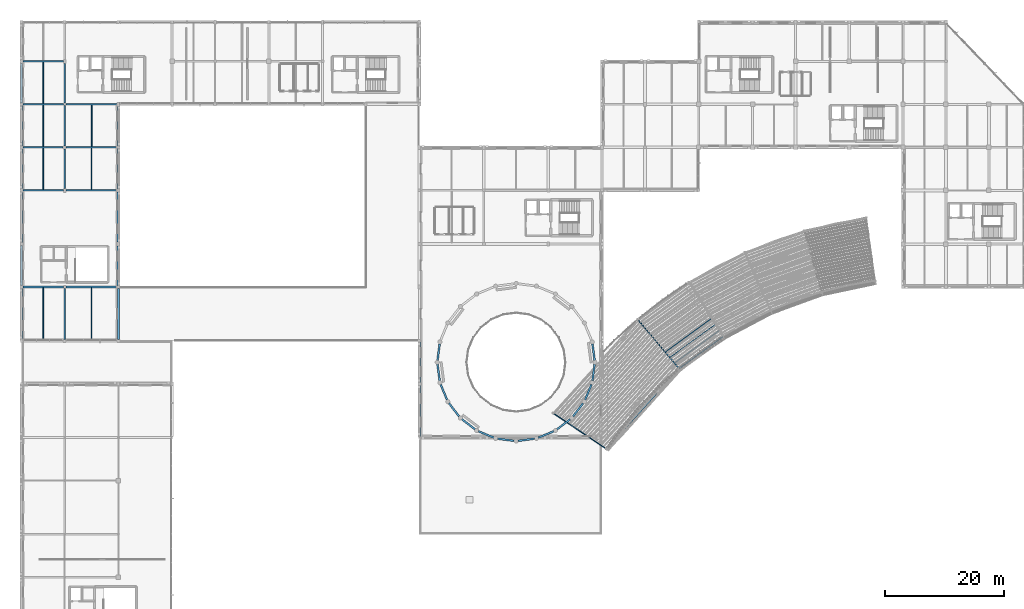
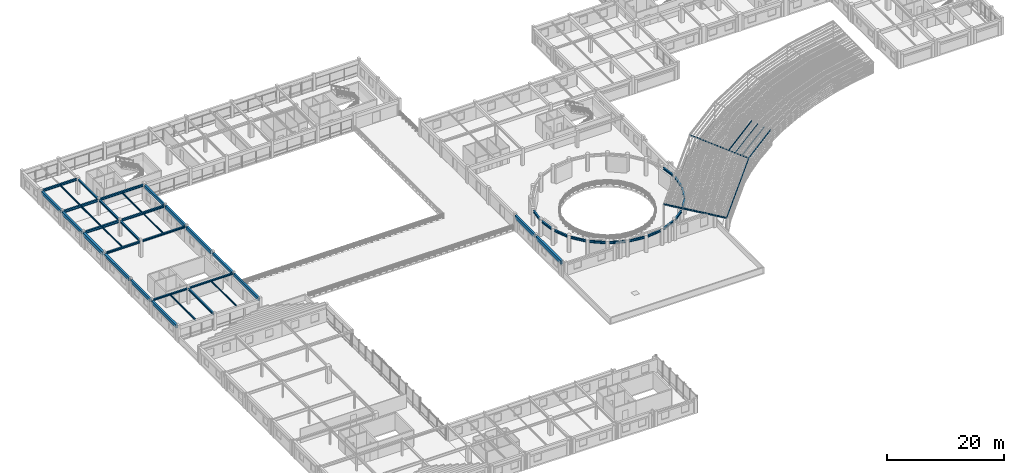
# One storey, part 22 of 74: 47 beams, 7 members.
"""IFC4 building model written with IfcOpenShell, lengths in metres."""

from ifc_helpers import new_model, si_unit, direction, frame, origin, origin_2d, place, context, subcontext, project, spatial, rectangle, i_section, extrude, material, material_profile, profile_set, type_object, element, save


model = new_model("IFC4")

# Units and contexts
model_context = context("Model", 3, precision=1e-05, world=origin(), true_north=direction((0.0, 1.0)))
body_context = subcontext(model_context, "Body", "Model", "MODEL_VIEW")
ifc_project = project(units=[si_unit("LENGTHUNIT", "METRE"), si_unit("AREAUNIT", "SQUARE_METRE"), si_unit("VOLUMEUNIT", "CUBIC_METRE"), si_unit("PLANEANGLEUNIT", "RADIAN"), si_unit("MASSUNIT", "GRAM", prefix="KILO")], contexts=[model_context])

# Site, building, storey
site_placement = place(None, origin())
site = spatial("IfcSite", under=ifc_project, at=site_placement, CompositionType="ELEMENT")
building_placement = place(site_placement, origin())
building = spatial("IfcBuilding", under=site, at=building_placement, Name="Clarverna Civic Hall", CompositionType="ELEMENT")
storey_placement = place(building_placement, frame((0.0, 0.0, 13.199951171875)))
storey = spatial("IfcBuildingStorey", under=building, at=storey_placement, Name="L03", CompositionType="ELEMENT", Elevation=13.199951171875)

# Beams
ifc_material_1 = material(Name="Concrete C35/45", Category="concrete")
ifc_material_profile_1 = material_profile(ifc_material_1, rectangle(XDim=0.419921875, YDim=0.719970703125, at=origin_2d()), Name="RC 420x720")
ifc_profile_set_1 = profile_set([ifc_material_profile_1], Name="Concrete C35/45")
beam_type_1 = type_object("IfcBeamType", Name="B-SP1", PredefinedType="SPANDREL", material=ifc_profile_set_1)
beam_1_placement = place(storey_placement, frame((0.0, 88.125, 2.93994140625), z_axis=(0.0, 1.0, 0.0), x_axis=(-1.0, 0.0, 0.0)))
element("IfcBeam", 1, at=beam_1_placement, inside=storey, type_object=beam_type_1, Name="B-SP1-120", PredefinedType="SPANDREL", context=body_context, shape_type="SweptSolid", body=[
    extrude(rectangle(XDim=0.419921875, YDim=0.719970703125, at=origin_2d()), origin(), (0.0, 0.0, 1.0), 6.625),
])
beam_2_placement = place(storey_placement, frame((16.199951171875, 79.125, 2.93994140625), z_axis=(0.0, 1.0, 0.0), x_axis=(-1.0, 0.0, 0.0)))
element("IfcBeam", 2, at=beam_2_placement, inside=storey, type_object=beam_type_1, Name="B-SP1-121", PredefinedType="SPANDREL", context=body_context, shape_type="SweptSolid", body=[
    extrude(rectangle(XDim=0.419921875, YDim=0.719970703125, at=origin_2d()), origin(), (0.0, 0.0, 1.0), 8.425048828125),
])
beam_3_placement = place(storey_placement, frame((66.60009765625, 46.530029296875, 2.93994140625), z_axis=(0.0, 1.0, 0.0), x_axis=(-1.0, 0.0, 0.0)))
element("IfcBeam", 3, at=beam_3_placement, inside=storey, type_object=beam_type_1, Name="B-SP1-122", PredefinedType="SPANDREL", context=body_context, shape_type="SweptSolid", body=[
    extrude(rectangle(XDim=0.419921875, YDim=0.719970703125, at=origin_2d()), origin(), (0.0, 0.0, 1.0), 8.619873046875),
])
ifc_material_profile_2 = material_profile(ifc_material_1, rectangle(XDim=0.3798828125, YDim=0.679931640625, at=origin_2d()), Name="RC 380x680")
ifc_profile_set_2 = profile_set([ifc_material_profile_2], Name="Concrete C35/45")
beam_type_2 = type_object("IfcBeamType", Name="B-SP2", PredefinedType="SPANDREL", material=ifc_profile_set_2)
beam_4_placement = place(storey_placement, frame((0.0, 62.925048828125, 2.9599609375), z_axis=(0.0, 1.0, 0.0), x_axis=(-1.0, 0.0, 0.0)))
element("IfcBeam", 4, at=beam_4_placement, inside=storey, type_object=beam_type_2, Name="B-SP2-124", PredefinedType="SPANDREL", context=body_context, shape_type="SweptSolid", body=[
    extrude(rectangle(XDim=0.3798828125, YDim=0.679931640625, at=origin_2d()), origin(), (0.0, 0.0, 1.0), 8.425048828125),
])
beam_5_placement = place(storey_placement, frame((0.0, 95.25, 2.9599609375), z_axis=(0.0, 1.0, 0.0), x_axis=(-1.0, 0.0, 0.0)))
element("IfcBeam", 5, at=beam_5_placement, inside=storey, type_object=beam_type_2, Name="B-SP2-125", PredefinedType="SPANDREL", context=body_context, shape_type="SweptSolid", body=[
    extrude(rectangle(XDim=0.3798828125, YDim=0.679931640625, at=origin_2d()), origin(), (0.0, 0.0, 1.0), 6.72509765625),
])
beam_6_placement = place(storey_placement, frame((16.199951171875, 88.050048828125, 2.9599609375), z_axis=(0.0, 1.0, 0.0), x_axis=(-1.0, 0.0, 0.0)))
element("IfcBeam", 6, at=beam_6_placement, inside=storey, type_object=beam_type_2, Name="B-SP2-126", PredefinedType="SPANDREL", context=body_context, shape_type="SweptSolid", body=[
    extrude(rectangle(XDim=0.3798828125, YDim=0.679931640625, at=origin_2d()), origin(), (0.0, 0.0, 1.0), 6.724853515625),
])
beam_7_placement = place(storey_placement, frame((66.60009765625, 55.64990234375, 2.9599609375), z_axis=(0.0, 1.0, 0.0), x_axis=(-1.0, 0.0, 0.0)))
element("IfcBeam", 7, at=beam_7_placement, inside=storey, type_object=beam_type_2, Name="B-SP2-128", PredefinedType="SPANDREL", context=body_context, shape_type="SweptSolid", body=[
    extrude(rectangle(XDim=0.3798828125, YDim=0.679931640625, at=origin_2d()), origin(), (0.0, 0.0, 1.0), 6.72509765625),
])
ifc_material_profile_3 = material_profile(ifc_material_1, rectangle(XDim=0.360107421875, YDim=0.6201171875, at=origin_2d()), Name="RC 360x620")
ifc_profile_set_3 = profile_set([ifc_material_profile_3], Name="Concrete C35/45")
beam_type_3 = type_object("IfcBeamType", Name="B-SP3", PredefinedType="SPANDREL", material=ifc_profile_set_3)
beam_8_placement = place(storey_placement, frame((0.0, 71.85009765625, 2.989990234375), z_axis=(0.0, 1.0, 0.0), x_axis=(-1.0, 0.0, 0.0)))
element("IfcBeam", 8, at=beam_8_placement, inside=storey, type_object=beam_type_3, Name="B-SP3-121", PredefinedType="SPANDREL", context=body_context, shape_type="SweptSolid", body=[
    extrude(rectangle(XDim=0.360107421875, YDim=0.6201171875, at=origin_2d()), origin(), (0.0, 0.0, 1.0), 6.724853515625),
])
beam_9_placement = place(storey_placement, frame((0.0, 102.425048828125, 2.989990234375), z_axis=(0.0, 1.0, 0.0), x_axis=(-1.0, 0.0, 0.0)))
element("IfcBeam", 9, at=beam_9_placement, inside=storey, type_object=beam_type_3, Name="B-SP3-122", PredefinedType="SPANDREL", context=body_context, shape_type="SweptSolid", body=[
    extrude(rectangle(XDim=0.360107421875, YDim=0.6201171875, at=origin_2d()), origin(), (0.0, 0.0, 1.0), 6.64990234375),
])
beam_10_placement = place(storey_placement, frame((16.199951171875, 62.85009765625, 2.989990234375), z_axis=(0.0, 1.0, 0.0), x_axis=(-1.0, 0.0, 0.0)))
element("IfcBeam", 10, at=beam_10_placement, inside=storey, type_object=beam_type_3, Name="B-SP3-123", PredefinedType="SPANDREL", context=body_context, shape_type="SweptSolid", body=[
    extrude(rectangle(XDim=0.360107421875, YDim=0.6201171875, at=origin_2d()), origin(), (0.0, 0.0, 1.0), 8.52490234375),
])
beam_11_placement = place(storey_placement, frame((16.199951171875, 95.22509765625, 2.989990234375), z_axis=(0.0, 1.0, 0.0), x_axis=(-1.0, 0.0, 0.0)))
element("IfcBeam", 11, at=beam_11_placement, inside=storey, type_object=beam_type_3, Name="B-SP3-124", PredefinedType="SPANDREL", context=body_context, shape_type="SweptSolid", body=[
    extrude(rectangle(XDim=0.360107421875, YDim=0.6201171875, at=origin_2d()), origin(), (0.0, 0.0, 1.0), 6.64990234375),
])
ifc_material_profile_4 = material_profile(ifc_material_1, rectangle(XDim=0.39990234375, YDim=0.56005859375, at=origin_2d()), Name="RC 400x560")
ifc_profile_set_4 = profile_set([ifc_material_profile_4], Name="Concrete C35/45")
beam_type_4 = type_object("IfcBeamType", Name="B-SP4", PredefinedType="SPANDREL", material=ifc_profile_set_4)
beam_12_placement = place(storey_placement, frame((0.0, 79.02490234375, 3.02001953125), z_axis=(0.0, 1.0, 0.0), x_axis=(-1.0, 0.0, 0.0)))
element("IfcBeam", 12, at=beam_12_placement, inside=storey, type_object=beam_type_4, Name="B-SP4-121", PredefinedType="SPANDREL", context=body_context, shape_type="SweptSolid", body=[
    extrude(rectangle(XDim=0.39990234375, YDim=0.56005859375, at=origin_2d()), origin(), (0.0, 0.0, 1.0), 8.4501953125),
])
beam_13_placement = place(storey_placement, frame((16.199951171875, 71.824951171875, 3.02001953125), z_axis=(0.0, 1.0, 0.0), x_axis=(-1.0, 0.0, 0.0)))
element("IfcBeam", 13, at=beam_13_placement, inside=storey, type_object=beam_type_4, Name="B-SP4-123", PredefinedType="SPANDREL", context=body_context, shape_type="SweptSolid", body=[
    extrude(rectangle(XDim=0.39990234375, YDim=0.56005859375, at=origin_2d()), origin(), (0.0, 0.0, 1.0), 6.650146484375),
])
ifc_material_2 = material(Name="Steel S355", Category="steel")
ifc_material_profile_5 = material_profile(ifc_material_2, i_section(OverallWidth=0.300048828125, OverallDepth=0.2900390625, WebThickness=0.008544921875, FlangeThickness=0.013916015625, FilletRadius=0.027099609375, at=origin_2d()), Name="HEA 300")
ifc_profile_set_5 = profile_set([ifc_material_profile_5], Name="Steel S355")
beam_type_5 = type_object("IfcBeamType", Name="B-ST10", PredefinedType="BEAM", material=ifc_profile_set_5)
beam_14_placement = place(storey_placement, frame((7.425048828125, 71.60009765625, 3.155029296875), z_axis=(1.0, 0.0, 0.0), x_axis=(0.0, 1.0, 0.0)))
element("IfcBeam", 14, at=beam_14_placement, inside=storey, type_object=beam_type_5, Name="B-ST10-012", PredefinedType="BEAM", context=body_context, shape_type="SweptSolid", body=[
    extrude(i_section(OverallWidth=0.300048828125, OverallDepth=0.2900390625, WebThickness=0.008544921875, FlangeThickness=0.013916015625, FilletRadius=0.027099609375, at=origin_2d()), origin(), (0.0, 0.0, 1.0), 8.550048828125),
])
ifc_material_profile_6 = material_profile(ifc_material_2, i_section(OverallWidth=0.300048828125, OverallDepth=0.5, WebThickness=0.014404296875, FlangeThickness=0.028076171875, FilletRadius=0.027099609375, at=origin_2d()), Name="HEB 500")
ifc_profile_set_6 = profile_set([ifc_material_profile_6], Name="Steel S355")
beam_type_6 = type_object("IfcBeamType", Name="B-ST2", PredefinedType="BEAM", material=ifc_profile_set_6)
beam_15_placement = place(storey_placement, frame((0.25, 95.0, 3.050048828125), z_axis=(1.0, 0.0, 0.0), x_axis=(0.0, 1.0, 0.0)))
element("IfcBeam", 15, at=beam_15_placement, inside=storey, type_object=beam_type_6, Name="B-ST2-012", PredefinedType="BEAM", context=body_context, shape_type="SweptSolid", body=[
    extrude(i_section(OverallWidth=0.300048828125, OverallDepth=0.5, WebThickness=0.014404296875, FlangeThickness=0.028076171875, FilletRadius=0.027099609375, at=origin_2d()), origin(), (0.0, 0.0, 1.0), 6.699951171875),
])
beam_16_placement = place(storey_placement, frame((0.22509765625, 102.199951171875, 3.050048828125), z_axis=(1.0, 0.0, 0.0), x_axis=(0.0, 1.0, 0.0)))
element("IfcBeam", 16, at=beam_16_placement, inside=storey, type_object=beam_type_6, Name="B-ST2-013", PredefinedType="BEAM", context=body_context, shape_type="SweptSolid", body=[
    extrude(i_section(OverallWidth=0.300048828125, OverallDepth=0.5, WebThickness=0.014404296875, FlangeThickness=0.028076171875, FilletRadius=0.027099609375, at=origin_2d()), origin(), (0.0, 0.0, 1.0), 6.75),
])
ifc_material_profile_7 = material_profile(ifc_material_2, i_section(OverallWidth=0.300048828125, OverallDepth=0.449951171875, WebThickness=0.013916015625, FlangeThickness=0.02587890625, FilletRadius=0.027099609375, at=origin_2d()), Name="HEB 450")
ifc_profile_set_7 = profile_set([ifc_material_profile_7], Name="Steel S355")
beam_type_7 = type_object("IfcBeamType", Name="B-ST3", PredefinedType="BEAM", material=ifc_profile_set_7)
beam_17_placement = place(storey_placement, frame((7.449951171875, 95.0, 3.074951171875), z_axis=(1.0, 0.0, 0.0), x_axis=(0.0, 1.0, 0.0)))
element("IfcBeam", 17, at=beam_17_placement, inside=storey, type_object=beam_type_7, Name="B-ST3-012", PredefinedType="BEAM", context=body_context, shape_type="SweptSolid", body=[
    extrude(i_section(OverallWidth=0.300048828125, OverallDepth=0.449951171875, WebThickness=0.013916015625, FlangeThickness=0.02587890625, FilletRadius=0.027099609375, at=origin_2d()), origin(), (0.0, 0.0, 1.0), 8.525146484375),
])
beam_18_placement = place(storey_placement, frame((7.425048828125, 102.199951171875, 3.074951171875), z_axis=(1.0, 0.0, 0.0), x_axis=(0.0, 1.0, 0.0)))
element("IfcBeam", 18, at=beam_18_placement, inside=storey, type_object=beam_type_7, Name="B-ST3-013", PredefinedType="BEAM", context=body_context, shape_type="SweptSolid", body=[
    extrude(i_section(OverallWidth=0.300048828125, OverallDepth=0.449951171875, WebThickness=0.013916015625, FlangeThickness=0.02587890625, FilletRadius=0.027099609375, at=origin_2d()), origin(), (0.0, 0.0, 1.0), 8.550048828125),
])
beam_19_placement = place(storey_placement, frame((0.22509765625, 109.39990234375, 3.074951171875), z_axis=(1.0, 0.0, 0.0), x_axis=(0.0, 1.0, 0.0)))
element("IfcBeam", 19, at=beam_19_placement, inside=storey, type_object=beam_type_7, Name="B-ST3-014", PredefinedType="BEAM", context=body_context, shape_type="SweptSolid", body=[
    extrude(i_section(OverallWidth=0.300048828125, OverallDepth=0.449951171875, WebThickness=0.013916015625, FlangeThickness=0.02587890625, FilletRadius=0.027099609375, at=origin_2d()), origin(), (0.0, 0.0, 1.0), 6.75),
])
ifc_material_profile_8 = material_profile(ifc_material_2, i_section(OverallWidth=0.300048828125, OverallDepth=0.39990234375, WebThickness=0.013427734375, FlangeThickness=0.02392578125, FilletRadius=0.027099609375, at=origin_2d()), Name="HEB 400")
ifc_profile_set_8 = profile_set([ifc_material_profile_8], Name="Steel S355")
beam_type_8 = type_object("IfcBeamType", Name="B-ST4", PredefinedType="BEAM", material=ifc_profile_set_8)
beam_20_placement = place(storey_placement, frame((7.199951171875, 62.85009765625, 3.10009765625), z_axis=(0.0, 1.0, 0.0), x_axis=(-1.0, 0.0, 0.0)))
element("IfcBeam", 20, at=beam_20_placement, inside=storey, type_object=beam_type_8, Name="B-ST4-012", PredefinedType="BEAM", context=body_context, shape_type="SweptSolid", body=[
    extrude(i_section(OverallWidth=0.300048828125, OverallDepth=0.39990234375, WebThickness=0.013427734375, FlangeThickness=0.02392578125, FilletRadius=0.027099609375, at=origin_2d()), origin(), (0.0, 0.0, 1.0), 8.52490234375),
])
ifc_material_profile_9 = material_profile(ifc_material_2, i_section(OverallWidth=0.300048828125, OverallDepth=0.43994140625, WebThickness=0.011474609375, FlangeThickness=0.02099609375, FilletRadius=0.027099609375, at=origin_2d()), Name="HEA 450")
ifc_profile_set_9 = profile_set([ifc_material_profile_9], Name="Steel S355")
beam_type_9 = type_object("IfcBeamType", Name="B-ST5", PredefinedType="BEAM", material=ifc_profile_set_9)
beam_21_placement = place(storey_placement, frame((7.199951171875, 88.125, 3.080078125), z_axis=(0.0, 1.0, 0.0), x_axis=(-1.0, 0.0, 0.0)))
element("IfcBeam", 21, at=beam_21_placement, inside=storey, type_object=beam_type_9, Name="B-ST5-110", PredefinedType="BEAM", context=body_context, shape_type="SweptSolid", body=[
    extrude(i_section(OverallWidth=0.300048828125, OverallDepth=0.43994140625, WebThickness=0.011474609375, FlangeThickness=0.02099609375, FilletRadius=0.027099609375, at=origin_2d()), origin(), (0.0, 0.0, 1.0), 6.625),
])
for number, where, z_axis, x_axis, name in (
    (22, (95.956298828125, 59.33203125, 3.080078125), (-0.130515938743, 0.991446211216, 0.0), (-0.991446211216, -0.130515938743, 0.0), "B-ST5-113"),
    (23, (70.006103515625, 62.084228515625, 3.080078125), (-0.130515938743, -0.991446211216, 0.0), (0.991446211216, -0.130515938743, 0.0), "B-ST5-124"),
    (24, (69.643798828125, 58.66796875, 3.080078125), (0.130515938743, -0.991446211216, 0.0), (0.991446211216, 0.130515938743, 0.0), "B-ST5-125"),
    (25, (70.177978515625, 55.274169921875, 3.080078125), (0.382659900485, -0.923889279384, 0.0), (0.923889279384, 0.382659900485, 0.0), "B-ST5-126"),
    (26, (71.572509765625, 52.13427734375, 3.080078125), (0.608702928733, -0.793398225705, 0.0), (0.793398225705, 0.608702928733, 0.0), "B-ST5-127"),
    (27, (73.73193359375, 49.46240234375, 3.080078125), (0.793323156255, -0.608800763592, 0.0), (0.608800763592, 0.793323156255, 0.0), "B-ST5-128"),
    (28, (76.509521484375, 47.440185546875, 3.080078125), (0.923889279384, -0.382659900485, 0.0), (0.382659900485, 0.923889279384, 0.0), "B-ST5-129"),
    (29, (79.7158203125, 46.2060546875, 3.080078125), (0.991446211216, -0.130515938743, 0.0), (0.130515938743, 0.991446211216, 0.0), "B-ST5-130"),
    (30, (83.132080078125, 45.84375, 3.080078125), (0.991446211216, 0.130515938743, 0.0), (-0.130515938743, 0.991446211216, 0.0), "B-ST5-131"),
    (31, (86.52587890625, 46.3779296875, 3.080078125), (0.923889279384, 0.382659900485, 0.0), (-0.382659900485, 0.923889279384, 0.0), "B-ST5-132"),
    (32, (89.665771484375, 47.7724609375, 3.080078125), (0.793323156255, 0.608800763592, 0.0), (-0.608800763592, 0.793323156255, 0.0), "B-ST5-133"),
):
    element("IfcBeam", number, at=place(storey_placement, frame(where, z_axis=z_axis, x_axis=x_axis)), inside=storey, type_object=beam_type_9, Name=name, PredefinedType="BEAM", context=body_context, shape_type="SweptSolid", body=[
        extrude(i_section(OverallWidth=0.300048828125, OverallDepth=0.43994140625, WebThickness=0.011474609375, FlangeThickness=0.02099609375, FilletRadius=0.027099609375, at=origin_2d()), origin(), (0.0, 0.0, 1.0), 2.77587890625),
    ])
for number, where, z_axis, x_axis, name in (
    (33, (92.337646484375, 49.931884765625, 3.080078125), (0.608758287208, 0.79335575107, 0.0), (-0.79335575107, 0.608758287208, 0.0), "B-ST5-134"),
    (34, (94.359619140625, 52.70947265625, 3.080078125), (0.382734966231, 0.923858184801, 0.0), (-0.923858184801, 0.382734966231, 0.0), "B-ST5-135"),
):
    element("IfcBeam", number, at=place(storey_placement, frame(where, z_axis=z_axis, x_axis=x_axis)), inside=storey, type_object=beam_type_9, Name=name, PredefinedType="BEAM", context=body_context, shape_type="SweptSolid", body=[
        extrude(i_section(OverallWidth=0.300048828125, OverallDepth=0.43994140625, WebThickness=0.011474609375, FlangeThickness=0.02099609375, FilletRadius=0.027099609375, at=origin_2d()), origin(), (0.0, 0.0, 1.0), 2.776123046875),
    ])
beam_22_placement = place(storey_placement, frame((95.593994140625, 55.915771484375, 3.080078125), z_axis=(0.130515938743, 0.991446211216, 0.0), x_axis=(-0.991446211216, 0.130515938743, 0.0)))
element("IfcBeam", 35, at=beam_22_placement, inside=storey, type_object=beam_type_9, Name="B-ST5-136", PredefinedType="BEAM", context=body_context, shape_type="SweptSolid", body=[
    extrude(i_section(OverallWidth=0.300048828125, OverallDepth=0.43994140625, WebThickness=0.011474609375, FlangeThickness=0.02099609375, FilletRadius=0.027099609375, at=origin_2d()), origin(), (0.0, 0.0, 1.0), 2.77587890625),
])
ifc_material_profile_10 = material_profile(ifc_material_2, i_section(OverallWidth=0.300048828125, OverallDepth=0.389892578125, WebThickness=0.010986328125, FlangeThickness=0.01904296875, FilletRadius=0.027099609375, at=origin_2d()), Name="HEA 400")
ifc_profile_set_10 = profile_set([ifc_material_profile_10], Name="Steel S355")
beam_type_10 = type_object("IfcBeamType", Name="B-ST6", PredefinedType="BEAM", material=ifc_profile_set_10)
beam_23_placement = place(storey_placement, frame((0.22509765625, 87.800048828125, 3.10498046875), z_axis=(1.0, 0.0, 0.0), x_axis=(0.0, 1.0, 0.0)))
element("IfcBeam", 36, at=beam_23_placement, inside=storey, type_object=beam_type_10, Name="B-ST6-012", PredefinedType="BEAM", context=body_context, shape_type="SweptSolid", body=[
    extrude(i_section(OverallWidth=0.300048828125, OverallDepth=0.389892578125, WebThickness=0.010986328125, FlangeThickness=0.01904296875, FilletRadius=0.027099609375, at=origin_2d()), origin(), (0.0, 0.0, 1.0), 6.75),
])
beam_24_placement = place(storey_placement, frame((7.199951171875, 95.25, 3.10498046875), z_axis=(0.0, 1.0, 0.0), x_axis=(-1.0, 0.0, 0.0)))
element("IfcBeam", 37, at=beam_24_placement, inside=storey, type_object=beam_type_10, Name="B-ST6-014", PredefinedType="BEAM", context=body_context, shape_type="SweptSolid", body=[
    extrude(i_section(OverallWidth=0.300048828125, OverallDepth=0.389892578125, WebThickness=0.010986328125, FlangeThickness=0.01904296875, FilletRadius=0.027099609375, at=origin_2d()), origin(), (0.0, 0.0, 1.0), 6.72509765625),
])
ifc_material_profile_11 = material_profile(ifc_material_2, i_section(OverallWidth=0.300048828125, OverallDepth=0.35009765625, WebThickness=0.010009765625, FlangeThickness=0.017578125, FilletRadius=0.027099609375, at=origin_2d()), Name="HEA 360")
ifc_profile_set_11 = profile_set([ifc_material_profile_11], Name="Steel S355")
beam_type_11 = type_object("IfcBeamType", Name="B-ST7", PredefinedType="BEAM", material=ifc_profile_set_11)
beam_25_placement = place(storey_placement, frame((7.425048828125, 87.800048828125, 3.125), z_axis=(1.0, 0.0, 0.0), x_axis=(0.0, 1.0, 0.0)))
element("IfcBeam", 38, at=beam_25_placement, inside=storey, type_object=beam_type_11, Name="B-ST7-013", PredefinedType="BEAM", context=body_context, shape_type="SweptSolid", body=[
    extrude(i_section(OverallWidth=0.300048828125, OverallDepth=0.35009765625, WebThickness=0.010009765625, FlangeThickness=0.017578125, FilletRadius=0.027099609375, at=origin_2d()), origin(), (0.0, 0.0, 1.0), 8.52490234375),
])
beam_26_placement = place(storey_placement, frame((7.199951171875, 102.425048828125, 3.125), z_axis=(0.0, 1.0, 0.0), x_axis=(-1.0, 0.0, 0.0)))
element("IfcBeam", 39, at=beam_26_placement, inside=storey, type_object=beam_type_11, Name="B-ST7-014", PredefinedType="BEAM", context=body_context, shape_type="SweptSolid", body=[
    extrude(i_section(OverallWidth=0.300048828125, OverallDepth=0.35009765625, WebThickness=0.010009765625, FlangeThickness=0.017578125, FilletRadius=0.027099609375, at=origin_2d()), origin(), (0.0, 0.0, 1.0), 6.64990234375),
])
ifc_material_profile_12 = material_profile(ifc_material_2, i_section(OverallWidth=0.300048828125, OverallDepth=0.31005859375, WebThickness=0.009033203125, FlangeThickness=0.015380859375, FilletRadius=0.027099609375, at=origin_2d()), Name="HEA 320")
ifc_profile_set_12 = profile_set([ifc_material_profile_12], Name="Steel S355")
beam_type_12 = type_object("IfcBeamType", Name="B-ST9", PredefinedType="BEAM", material=ifc_profile_set_12)
beam_27_placement = place(storey_placement, frame((0.25, 71.60009765625, 3.14501953125), z_axis=(1.0, 0.0, 0.0), x_axis=(0.0, 1.0, 0.0)))
element("IfcBeam", 40, at=beam_27_placement, inside=storey, type_object=beam_type_12, Name="B-ST9-087", PredefinedType="BEAM", context=body_context, shape_type="SweptSolid", body=[
    extrude(i_section(OverallWidth=0.300048828125, OverallDepth=0.31005859375, WebThickness=0.009033203125, FlangeThickness=0.015380859375, FilletRadius=0.027099609375, at=origin_2d()), origin(), (0.0, 0.0, 1.0), 6.72509765625),
])
ifc_material_profile_13 = material_profile(ifc_material_2, i_section(OverallWidth=0.169921875, OverallDepth=0.360107421875, WebThickness=0.008056640625, FlangeThickness=0.0126953125, FilletRadius=0.01806640625, at=origin_2d()), Name="IPE 360")
ifc_profile_set_13 = profile_set([ifc_material_profile_13], Name="Steel S355")
beam_type_13 = type_object("IfcBeamType", Name="J-ST1", PredefinedType="JOIST", material=ifc_profile_set_13)
beam_28_placement = place(storey_placement, frame((3.60009765625, 95.14990234375, 3.1201171875), z_axis=(0.0, 1.0, 0.0), x_axis=(-1.0, 0.0, 0.0)))
element("IfcBeam", 41, at=beam_28_placement, inside=storey, type_object=beam_type_13, Name="J-ST1-063", PredefinedType="JOIST", context=body_context, shape_type="SweptSolid", body=[
    extrude(i_section(OverallWidth=0.169921875, OverallDepth=0.360107421875, WebThickness=0.008056640625, FlangeThickness=0.0126953125, FilletRadius=0.01806640625, at=origin_2d()), origin(), (0.0, 0.0, 1.0), 6.900146484375),
])
ifc_material_profile_14 = material_profile(ifc_material_2, i_section(OverallWidth=0.159912109375, OverallDepth=0.330078125, WebThickness=0.007568359375, FlangeThickness=0.011474609375, FilletRadius=0.01806640625, at=origin_2d()), Name="IPE 330")
ifc_profile_set_14 = profile_set([ifc_material_profile_14], Name="Steel S355")
beam_type_14 = type_object("IfcBeamType", Name="J-ST2", PredefinedType="JOIST", material=ifc_profile_set_14)
beam_29_placement = place(storey_placement, frame((3.60009765625, 62.81005859375, 3.135009765625), z_axis=(0.0, 1.0, 0.0), x_axis=(-1.0, 0.0, 0.0)))
element("IfcBeam", 42, at=beam_29_placement, inside=storey, type_object=beam_type_14, Name="J-ST2-061", PredefinedType="JOIST", context=body_context, shape_type="SweptSolid", body=[
    extrude(i_section(OverallWidth=0.159912109375, OverallDepth=0.330078125, WebThickness=0.007568359375, FlangeThickness=0.011474609375, FilletRadius=0.01806640625, at=origin_2d()), origin(), (0.0, 0.0, 1.0), 8.639892578125),
])
beam_30_placement = place(storey_placement, frame((11.699951171875, 95.14990234375, 3.135009765625), z_axis=(0.0, 1.0, 0.0), x_axis=(-1.0, 0.0, 0.0)))
element("IfcBeam", 43, at=beam_30_placement, inside=storey, type_object=beam_type_14, Name="J-ST2-064", PredefinedType="JOIST", context=body_context, shape_type="SweptSolid", body=[
    extrude(i_section(OverallWidth=0.159912109375, OverallDepth=0.330078125, WebThickness=0.007568359375, FlangeThickness=0.011474609375, FilletRadius=0.01806640625, at=origin_2d()), origin(), (0.0, 0.0, 1.0), 6.900146484375),
])
ifc_material_profile_15 = material_profile(ifc_material_2, i_section(OverallWidth=0.14990234375, OverallDepth=0.300048828125, WebThickness=0.007080078125, FlangeThickness=0.0107421875, FilletRadius=0.014892578125, at=origin_2d()), Name="IPE 300")
ifc_profile_set_15 = profile_set([ifc_material_profile_15], Name="Steel S355")
beam_type_15 = type_object("IfcBeamType", Name="J-ST3", PredefinedType="JOIST", material=ifc_profile_set_15)
beam_31_placement = place(storey_placement, frame((11.699951171875, 62.7900390625, 3.150146484375), z_axis=(0.0, 1.0, 0.0), x_axis=(-1.0, 0.0, 0.0)))
element("IfcBeam", 44, at=beam_31_placement, inside=storey, type_object=beam_type_15, Name="J-ST3-061", PredefinedType="JOIST", context=body_context, shape_type="SweptSolid", body=[
    extrude(i_section(OverallWidth=0.14990234375, OverallDepth=0.300048828125, WebThickness=0.007080078125, FlangeThickness=0.0107421875, FilletRadius=0.014892578125, at=origin_2d()), origin(), (0.0, 0.0, 1.0), 8.659912109375),
])
beam_32_placement = place(storey_placement, frame((3.60009765625, 87.949951171875, 3.150146484375), z_axis=(0.0, 1.0, 0.0), x_axis=(-1.0, 0.0, 0.0)))
element("IfcBeam", 45, at=beam_32_placement, inside=storey, type_object=beam_type_15, Name="J-ST3-062", PredefinedType="JOIST", context=body_context, shape_type="SweptSolid", body=[
    extrude(i_section(OverallWidth=0.14990234375, OverallDepth=0.300048828125, WebThickness=0.007080078125, FlangeThickness=0.0107421875, FilletRadius=0.014892578125, at=origin_2d()), origin(), (0.0, 0.0, 1.0), 6.900146484375),
])
ifc_material_profile_16 = material_profile(ifc_material_2, i_section(OverallWidth=0.135009765625, OverallDepth=0.27001953125, WebThickness=0.006591796875, FlangeThickness=0.01025390625, FilletRadius=0.014892578125, at=origin_2d()), Name="IPE 270")
ifc_profile_set_16 = profile_set([ifc_material_profile_16], Name="Steel S355")
beam_type_16 = type_object("IfcBeamType", Name="J-ST4", PredefinedType="JOIST", material=ifc_profile_set_16)
beam_33_placement = place(storey_placement, frame((11.699951171875, 87.949951171875, 3.1650390625), z_axis=(0.0, 1.0, 0.0), x_axis=(-1.0, 0.0, 0.0)))
element("IfcBeam", 46, at=beam_33_placement, inside=storey, type_object=beam_type_16, Name="J-ST4-064", PredefinedType="JOIST", context=body_context, shape_type="SweptSolid", body=[
    extrude(i_section(OverallWidth=0.135009765625, OverallDepth=0.27001953125, WebThickness=0.006591796875, FlangeThickness=0.01025390625, FilletRadius=0.014892578125, at=origin_2d()), origin(), (0.0, 0.0, 1.0), 6.900146484375),
])
beam_34_placement = place(storey_placement, frame((3.60009765625, 102.35009765625, 3.1650390625), z_axis=(0.0, 1.0, 0.0), x_axis=(-1.0, 0.0, 0.0)))
element("IfcBeam", 47, at=beam_34_placement, inside=storey, type_object=beam_type_16, Name="J-ST4-067", PredefinedType="JOIST", context=body_context, shape_type="SweptSolid", body=[
    extrude(i_section(OverallWidth=0.135009765625, OverallDepth=0.27001953125, WebThickness=0.006591796875, FlangeThickness=0.01025390625, FilletRadius=0.014892578125, at=origin_2d()), origin(), (0.0, 0.0, 1.0), 6.89990234375),
])

# Members
ifc_material_profile_17 = material_profile(ifc_material_2, i_section(OverallWidth=0.179931640625, OverallDepth=0.1708984375, WebThickness=0.006103515625, FlangeThickness=0.009521484375, FilletRadius=0.014892578125, at=origin_2d()), Name="HEA 180")
ifc_profile_set_17 = profile_set([ifc_material_profile_17], Name="Steel S355")
member_type_1 = type_object("IfcMemberType", Name="PU-SC2", PredefinedType="PURLIN", material=ifc_profile_set_17)
member_1_placement = place(storey_placement, frame((117.44921875, 63.292724609375, 2.650146484375), z_axis=(-0.809019182203, -0.587782240993, 0.0), x_axis=(0.587782240993, -0.809019182203, 0.0)))
element("IfcMember", 48, at=member_1_placement, inside=storey, type_object=member_type_1, Name="PU-SC2-004", PredefinedType="PURLIN", context=body_context, shape_type="SweptSolid", body=[
    extrude(i_section(OverallWidth=0.179931640625, OverallDepth=0.1708984375, WebThickness=0.006103515625, FlangeThickness=0.009521484375, FilletRadius=0.014892578125, at=origin_2d()), origin(), (0.0, 0.0, 1.0), 9.096435546875),
])
member_2_placement = place(storey_placement, frame((110.090087890625, 57.946044921875, 2.650146484375), z_axis=(-0.669128973271, -0.743146295913, 0.0), x_axis=(0.743146295913, -0.669128973271, 0.0)))
element("IfcMember", 49, at=member_2_placement, inside=storey, type_object=member_type_1, Name="PU-SC2-005", PredefinedType="PURLIN", context=body_context, shape_type="SweptSolid", body=[
    extrude(i_section(OverallWidth=0.179931640625, OverallDepth=0.1708984375, WebThickness=0.006103515625, FlangeThickness=0.009521484375, FilletRadius=0.014892578125, at=origin_2d()), origin(), (0.0, 0.0, 1.0), 18.14794921875),
])
ifc_material_profile_18 = material_profile(ifc_material_2, i_section(OverallWidth=0.159912109375, OverallDepth=0.152099609375, WebThickness=0.006103515625, FlangeThickness=0.009033203125, FilletRadius=0.014892578125, at=origin_2d()), Name="HEA 160")
ifc_profile_set_18 = profile_set([ifc_material_profile_18], Name="Steel S355")
member_type_2 = type_object("IfcMemberType", Name="PU-SC3", PredefinedType="PURLIN", material=ifc_profile_set_18)
member_3_placement = place(storey_placement, frame((116.8134765625, 64.310302734375, 2.9111328125), z_axis=(-0.809034570977, -0.587761059415, 0.0), x_axis=(0.587761059415, -0.809034570977, 0.0)))
element("IfcMember", 50, at=member_3_placement, inside=storey, type_object=member_type_2, Name="PU-SC3-004", PredefinedType="PURLIN", context=body_context, shape_type="SweptSolid", body=[
    extrude(i_section(OverallWidth=0.159912109375, OverallDepth=0.152099609375, WebThickness=0.006103515625, FlangeThickness=0.009033203125, FilletRadius=0.014892578125, at=origin_2d()), origin(), (0.0, 0.0, 1.0), 9.263671875),
])
member_4_placement = place(storey_placement, frame((116.177490234375, 65.328125, 3.17236328125), z_axis=(-0.809015850599, -0.587786826562, 0.0), x_axis=(0.587786826562, -0.809015850599, 0.0)))
element("IfcMember", 51, at=member_4_placement, inside=storey, type_object=member_type_2, Name="PU-SC3-008", PredefinedType="PURLIN", context=body_context, shape_type="SweptSolid", body=[
    extrude(i_section(OverallWidth=0.159912109375, OverallDepth=0.152099609375, WebThickness=0.006103515625, FlangeThickness=0.009033203125, FilletRadius=0.014892578125, at=origin_2d()), origin(), (0.0, 0.0, 1.0), 9.43115234375),
])
member_5_placement = place(storey_placement, frame((115.54150390625, 66.345703125, 3.433349609375), z_axis=(-0.809018665783, -0.58778295179, 0.0), x_axis=(0.58778295179, -0.809018665783, 0.0)))
element("IfcMember", 52, at=member_5_placement, inside=storey, type_object=member_type_2, Name="PU-SC3-012", PredefinedType="PURLIN", context=body_context, shape_type="SweptSolid", body=[
    extrude(i_section(OverallWidth=0.159912109375, OverallDepth=0.152099609375, WebThickness=0.006103515625, FlangeThickness=0.009033203125, FilletRadius=0.014892578125, at=origin_2d()), origin(), (0.0, 0.0, 1.0), 9.5986328125),
])
ifc_material_profile_19 = material_profile(ifc_material_2, i_section(OverallWidth=0.1201171875, OverallDepth=0.239990234375, WebThickness=0.006103515625, FlangeThickness=0.009765625, FilletRadius=0.014892578125, at=origin_2d()), Name="IPE 240")
ifc_profile_set_19 = profile_set([ifc_material_profile_19], Name="Steel S355")
member_type_3 = type_object("IfcMemberType", Name="SC-RF1", PredefinedType="RAFTER", material=ifc_profile_set_19)
for number, where, z_axis, x_axis, name in (
    (53, (110.090087890625, 57.946044921875, 2.550048828125), (-0.628071128425, 0.748543096295, 0.212626175783), (-0.766060118845, -0.642768927621, 0.0), "SC-RF1-005"),
    (54, (97.94677734375, 44.45947265625, 2.550048828125), (-0.810079836484, 0.546407398024, 0.212625525059), (-0.55919406335, -0.829036790205, 0.0), "SC-RF1-006"),
):
    element("IfcMember", number, at=place(storey_placement, frame(where, z_axis=z_axis, x_axis=x_axis)), inside=storey, type_object=member_type_3, Name=name, PredefinedType="RAFTER", context=body_context, shape_type="SweptSolid", body=[
        extrude(i_section(OverallWidth=0.1201171875, OverallDepth=0.239990234375, WebThickness=0.006103515625, FlangeThickness=0.009765625, FilletRadius=0.014892578125, at=origin_2d()), origin(), (0.0, 0.0, 1.0), 11.052734375),
    ])

save(model, "model.ifc")
